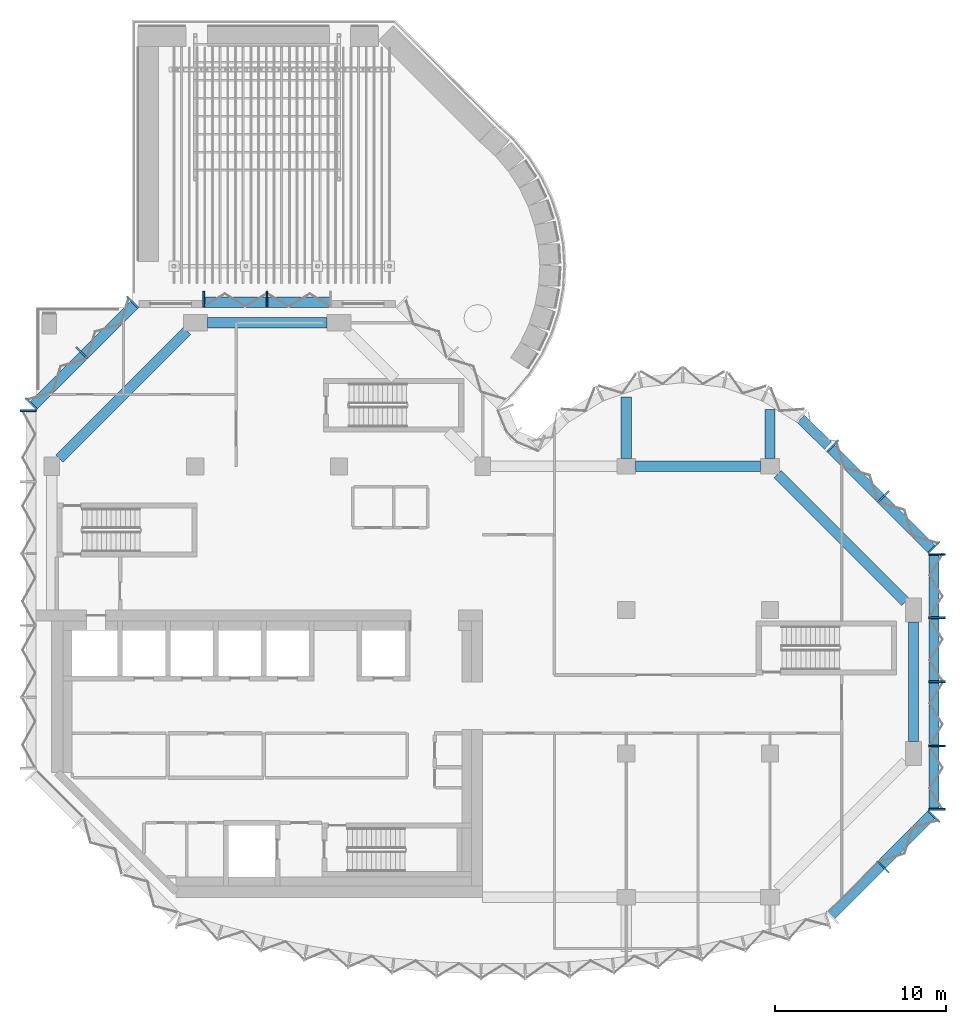
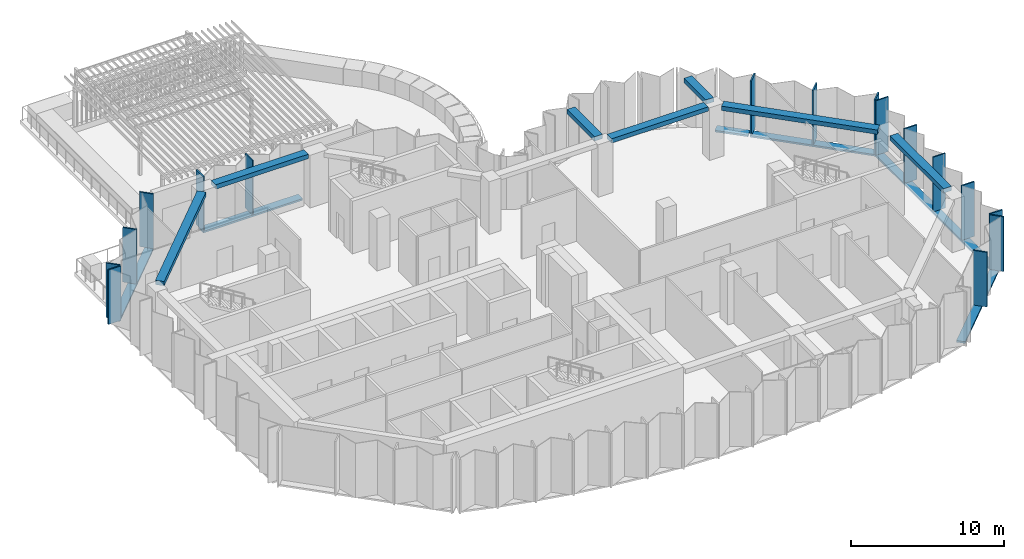
# One storey, part 2 of 15: 22 members, 7 beams, 7 elements without a shape of their own.
"""IFC4 building model written with IfcOpenShell, lengths in metres."""

from ifc_helpers import new_model, si_unit, direction, frame, origin, origin_2d, place, context, subcontext, project, spatial, rectangle, extrude, material, material_profile, profile_set, type_object, element, aggregate, save


model = new_model("IFC4")

# Units and contexts
model_context = context("Model", 3, precision=1e-05, world=origin(), true_north=direction((0.0, 1.0)))
body_context = subcontext(model_context, "Body", "Model", "MODEL_VIEW")
ifc_project = project(units=[si_unit("LENGTHUNIT", "METRE"), si_unit("AREAUNIT", "SQUARE_METRE"), si_unit("VOLUMEUNIT", "CUBIC_METRE"), si_unit("PLANEANGLEUNIT", "RADIAN"), si_unit("MASSUNIT", "GRAM", prefix="KILO")], contexts=[model_context])

# Site, building, storey
site_placement = place(None, origin())
site = spatial("IfcSite", under=ifc_project, at=site_placement, CompositionType="ELEMENT")
building_placement = place(site_placement, origin())
building = spatial("IfcBuilding", under=site, at=building_placement, Name="Brevane Broadcast Tower", CompositionType="ELEMENT")
storey_placement = place(building_placement, frame((0.0, 0.0, 206.39990234375)))
storey = spatial("IfcBuildingStorey", under=building, at=storey_placement, Name="L52", CompositionType="ELEMENT", Elevation=206.39990234375)

# Curtain wall, members
ifc_material_1 = material(Name="Aluminium 6063-T6 bronze anodised", Category="aluminium")
curtain_wall_type = type_object("IfcCurtainWallType", Name="CW-4 curtain wall", PredefinedType="NOTDEFINED", material=ifc_material_1)
curtain_wall_1_placement = place(storey_placement, origin())
curtain_wall_1 = element("IfcCurtainWall", 1, at=curtain_wall_1_placement, inside=storey, type_object=curtain_wall_type, Name="CW-4 sky lobby unit L52 south-east chamfer", PredefinedType="NOTDEFINED")
ifc_material_profile_1 = material_profile(ifc_material_1, rectangle(XDim=0.949951171875, YDim=0.10009765625, at=origin_2d()), Name="RECT 100x950")
ifc_profile_set_1 = profile_set([ifc_material_profile_1], Name="Aluminium 6063-T6 bronze anodised")
member_type_1 = type_object("IfcMemberType", Name="CW-4 mullion 100x950", PredefinedType="MULLION", material=ifc_profile_set_1)
member_1_placement = place(storey_placement, frame((48.635986328125, 1.76416015625, -0.159912109375), z_axis=(0.0, 0.0, 1.0), x_axis=(-0.707106781187, 0.707106781187, 0.0)))
member_1 = element("IfcMember", 2, at=member_1_placement, type_object=member_type_1, Name="CW-4 mullion", PredefinedType="MULLION", context=body_context, shape_type="SweptSolid", body=[
    extrude(rectangle(XDim=0.949951171875, YDim=0.10009765625, at=origin_2d()), origin(), (0.0, 0.0, 1.0), 4.360107421875),
])
member_2_placement = place(storey_placement, frame((51.6005859375, 4.728759765625, -0.159912109375), z_axis=(0.0, 0.0, 1.0), x_axis=(-0.707106781187, 0.707106781187, 0.0)))
member_2 = element("IfcMember", 3, at=member_2_placement, type_object=member_type_1, Name="CW-4 mullion", PredefinedType="MULLION", context=body_context, shape_type="SweptSolid", body=[
    extrude(rectangle(XDim=0.949951171875, YDim=0.10009765625, at=origin_2d()), origin(), (0.0, 0.0, 1.0), 4.360107421875),
])

curtain_wall_2_placement = place(storey_placement, origin())
curtain_wall_2 = element("IfcCurtainWall", 4, at=curtain_wall_2_placement, inside=storey, type_object=curtain_wall_type, Name="CW-4 sky lobby unit L52 east end", PredefinedType="NOTDEFINED")
member_3_placement = place(storey_placement, frame((51.77490234375, 5.14990234375, -0.159912109375), z_axis=(0.0, 0.0, 1.0), x_axis=(-1.0, 0.0, 0.0)))
member_3 = element("IfcMember", 5, at=member_3_placement, type_object=member_type_1, Name="CW-4 mullion", PredefinedType="MULLION", context=body_context, shape_type="SweptSolid", body=[
    extrude(rectangle(XDim=0.949951171875, YDim=0.10009765625, at=origin_2d()), origin(), (0.0, 0.0, 1.0), 4.360107421875),
])
member_4_placement = place(storey_placement, frame((51.77490234375, 8.85009765625, -0.159912109375), z_axis=(0.0, 0.0, 1.0), x_axis=(-1.0, 0.0, 0.0)))
member_4 = element("IfcMember", 6, at=member_4_placement, type_object=member_type_1, Name="CW-4 mullion", PredefinedType="MULLION", context=body_context, shape_type="SweptSolid", body=[
    extrude(rectangle(XDim=0.949951171875, YDim=0.10009765625, at=origin_2d()), origin(), (0.0, 0.0, 1.0), 4.360107421875),
])
member_5_placement = place(storey_placement, frame((51.77490234375, 12.60009765625, -0.159912109375), z_axis=(0.0, 0.0, 1.0), x_axis=(-1.0, 0.0, 0.0)))
member_5 = element("IfcMember", 7, at=member_5_placement, type_object=member_type_1, Name="CW-4 mullion", PredefinedType="MULLION", context=body_context, shape_type="SweptSolid", body=[
    extrude(rectangle(XDim=0.949951171875, YDim=0.10009765625, at=origin_2d()), origin(), (0.0, 0.0, 1.0), 4.360107421875),
])
member_6_placement = place(storey_placement, frame((51.77490234375, 16.35009765625, -0.159912109375), z_axis=(0.0, 0.0, 1.0), x_axis=(-1.0, 0.0, 0.0)))
member_6 = element("IfcMember", 8, at=member_6_placement, type_object=member_type_1, Name="CW-4 mullion", PredefinedType="MULLION", context=body_context, shape_type="SweptSolid", body=[
    extrude(rectangle(XDim=0.949951171875, YDim=0.10009765625, at=origin_2d()), origin(), (0.0, 0.0, 1.0), 4.360107421875),
])
member_7_placement = place(storey_placement, frame((51.77490234375, 20.050048828125, -0.159912109375), z_axis=(0.0, 0.0, 1.0), x_axis=(-1.0, 0.0, 0.0)))
member_7 = element("IfcMember", 9, at=member_7_placement, type_object=member_type_1, Name="CW-4 mullion", PredefinedType="MULLION", context=body_context, shape_type="SweptSolid", body=[
    extrude(rectangle(XDim=0.949951171875, YDim=0.10009765625, at=origin_2d()), origin(), (0.0, 0.0, 1.0), 4.360107421875),
])

curtain_wall_3_placement = place(storey_placement, origin())
curtain_wall_3 = element("IfcCurtainWall", 10, at=curtain_wall_3_placement, inside=storey, type_object=curtain_wall_type, Name="CW-4 sky lobby unit L52 north-east chamfer", PredefinedType="NOTDEFINED")
member_8_placement = place(storey_placement, frame((51.6005859375, 20.47119140625, -0.159912109375), z_axis=(0.0, 0.0, 1.0), x_axis=(-0.707106781187, -0.707106781187, 0.0)))
member_8 = element("IfcMember", 11, at=member_8_placement, type_object=member_type_1, Name="CW-4 mullion", PredefinedType="MULLION", context=body_context, shape_type="SweptSolid", body=[
    extrude(rectangle(XDim=0.949951171875, YDim=0.10009765625, at=origin_2d()), origin(), (0.0, 0.0, 1.0), 4.360107421875),
])
member_9_placement = place(storey_placement, frame((48.635986328125, 23.435791015625, -0.159912109375), z_axis=(0.0, 0.0, 1.0), x_axis=(-0.707106781187, -0.707106781187, 0.0)))
member_9 = element("IfcMember", 12, at=member_9_placement, type_object=member_type_1, Name="CW-4 mullion", PredefinedType="MULLION", context=body_context, shape_type="SweptSolid", body=[
    extrude(rectangle(XDim=0.949951171875, YDim=0.10009765625, at=origin_2d()), origin(), (0.0, 0.0, 1.0), 4.360107421875),
])
member_10_placement = place(storey_placement, frame((45.671142578125, 26.400634765625, -0.159912109375), z_axis=(0.0, 0.0, 1.0), x_axis=(-0.707106781187, -0.707106781187, 0.0)))
member_10 = element("IfcMember", 13, at=member_10_placement, type_object=member_type_1, Name="CW-4 mullion", PredefinedType="MULLION", context=body_context, shape_type="SweptSolid", body=[
    extrude(rectangle(XDim=0.949951171875, YDim=0.10009765625, at=origin_2d()), origin(), (0.0, 0.0, 1.0), 4.360107421875),
])

curtain_wall_4_placement = place(storey_placement, origin())
curtain_wall_4 = element("IfcCurtainWall", 14, at=curtain_wall_4_placement, inside=storey, type_object=curtain_wall_type, Name="CW-4 sky lobby unit L52 north end", PredefinedType="NOTDEFINED")
member_11_placement = place(storey_placement, frame((12.60009765625, 34.97509765625, -0.159912109375), z_axis=(0.0, 0.0, 1.0), x_axis=(0.0, -1.0, 0.0)))
member_11 = element("IfcMember", 15, at=member_11_placement, type_object=member_type_1, Name="CW-4 mullion", PredefinedType="MULLION", context=body_context, shape_type="SweptSolid", body=[
    extrude(rectangle(XDim=0.949951171875, YDim=0.10009765625, at=origin_2d()), origin(), (0.0, 0.0, 1.0), 4.360107421875),
])
member_12_placement = place(storey_placement, frame((8.89990234375, 34.97509765625, -0.159912109375), z_axis=(0.0, 0.0, 1.0), x_axis=(0.0, -1.0, 0.0)))
member_12 = element("IfcMember", 16, at=member_12_placement, type_object=member_type_1, Name="CW-4 mullion", PredefinedType="MULLION", context=body_context, shape_type="SweptSolid", body=[
    extrude(rectangle(XDim=0.949951171875, YDim=0.10009765625, at=origin_2d()), origin(), (0.0, 0.0, 1.0), 4.360107421875),
])

curtain_wall_5_placement = place(storey_placement, origin())
curtain_wall_5 = element("IfcCurtainWall", 17, at=curtain_wall_5_placement, inside=storey, type_object=curtain_wall_type, Name="CW-4 sky lobby unit L52 north-west chamfer", PredefinedType="NOTDEFINED")
member_13_placement = place(storey_placement, frame((4.728759765625, 34.800537109375, -0.159912109375), z_axis=(0.0, 0.0, 1.0), x_axis=(0.707106781187, -0.707106781187, 0.0)))
member_13 = element("IfcMember", 18, at=member_13_placement, type_object=member_type_1, Name="CW-4 mullion", PredefinedType="MULLION", context=body_context, shape_type="SweptSolid", body=[
    extrude(rectangle(XDim=0.949951171875, YDim=0.10009765625, at=origin_2d()), origin(), (0.0, 0.0, 1.0), 4.360107421875),
])
member_14_placement = place(storey_placement, frame((1.76416015625, 31.8359375, -0.159912109375), z_axis=(0.0, 0.0, 1.0), x_axis=(0.707106781187, -0.707106781187, 0.0)))
member_14 = element("IfcMember", 19, at=member_14_placement, type_object=member_type_1, Name="CW-4 mullion", PredefinedType="MULLION", context=body_context, shape_type="SweptSolid", body=[
    extrude(rectangle(XDim=0.949951171875, YDim=0.10009765625, at=origin_2d()), origin(), (0.0, 0.0, 1.0), 4.360107421875),
])
member_15_placement = place(storey_placement, frame((-1.200439453125, 28.871337890625, -0.159912109375), z_axis=(0.0, 0.0, 1.0), x_axis=(0.707106781187, -0.707106781187, 0.0)))
member_15 = element("IfcMember", 20, at=member_15_placement, type_object=member_type_1, Name="CW-4 mullion", PredefinedType="MULLION", context=body_context, shape_type="SweptSolid", body=[
    extrude(rectangle(XDim=0.949951171875, YDim=0.10009765625, at=origin_2d()), origin(), (0.0, 0.0, 1.0), 4.360107421875),
])

# Curtain wall, member
curtain_wall_6_placement = place(storey_placement, origin())
curtain_wall_6 = element("IfcCurtainWall", 21, at=curtain_wall_6_placement, inside=storey, type_object=curtain_wall_type, Name="CW-4 sky lobby unit L52 west face", PredefinedType="NOTDEFINED")
member_16_placement = place(storey_placement, frame((-1.375, 28.449951171875, -0.159912109375), z_axis=(0.0, 0.0, 1.0), x_axis=(1.0, 0.0, 0.0)))
member_16 = element("IfcMember", 22, at=member_16_placement, type_object=member_type_1, Name="CW-4 mullion", PredefinedType="MULLION", context=body_context, shape_type="SweptSolid", body=[
    extrude(rectangle(XDim=0.949951171875, YDim=0.10009765625, at=origin_2d()), origin(), (0.0, 0.0, 1.0), 4.360107421875),
])
aggregate(curtain_wall_6, [member_16])

# Member
ifc_material_profile_2 = material_profile(ifc_material_1, rectangle(XDim=0.60009765625, YDim=0.139892578125, at=origin_2d()), Name="RECT 140x600")
ifc_profile_set_2 = profile_set([ifc_material_profile_2], Name="Aluminium 6063-T6 bronze anodised")
member_type_2 = type_object("IfcMemberType", Name="CW-4 transom 140x600", PredefinedType="USERDEFINED", material=ifc_profile_set_2)
member_17_placement = place(storey_placement, frame((45.51220703125, -1.112060546875, -0.22998046875), z_axis=(0.707106781187, 0.707106781187, 0.0), x_axis=(-0.707106781187, 0.707106781187, 0.0)))
member_17 = element("IfcMember", 23, at=member_17_placement, type_object=member_type_2, Name="CW-4 transom", ObjectType="TRANSOM", PredefinedType="USERDEFINED", context=body_context, shape_type="SweptSolid", body=[
    extrude(rectangle(XDim=0.60009765625, YDim=0.139892578125, at=origin_2d()), origin(), (0.0, 0.0, 1.0), 8.4853515625),
])

aggregate(curtain_wall_1, [member_1, member_2, member_17])

member_18_placement = place(storey_placement, frame((51.60009765625, 5.10009765625, -0.22998046875), z_axis=(0.0, 1.0, 0.0), x_axis=(-1.0, 0.0, 0.0)))
member_18 = element("IfcMember", 24, at=member_18_placement, type_object=member_type_2, Name="CW-4 transom", ObjectType="TRANSOM", PredefinedType="USERDEFINED", context=body_context, shape_type="SweptSolid", body=[
    extrude(rectangle(XDim=0.60009765625, YDim=0.139892578125, at=origin_2d()), origin(), (0.0, 0.0, 1.0), 15.0),
])

aggregate(curtain_wall_2, [member_3, member_4, member_5, member_6, member_7, member_18])

member_19_placement = place(storey_placement, frame((51.51220703125, 20.31201171875, -0.22998046875), z_axis=(-0.707106781187, 0.707106781187, 0.0), x_axis=(-0.707106781187, -0.707106781187, 0.0)))
member_19 = element("IfcMember", 25, at=member_19_placement, type_object=member_type_2, Name="CW-4 transom", ObjectType="TRANSOM", PredefinedType="USERDEFINED", context=body_context, shape_type="SweptSolid", body=[
    extrude(rectangle(XDim=0.60009765625, YDim=0.139892578125, at=origin_2d()), origin(), (0.0, 0.0, 1.0), 8.4853515625),
])

aggregate(curtain_wall_3, [member_8, member_9, member_10, member_19])

# Curtain wall, member
curtain_wall_7_placement = place(storey_placement, origin())
curtain_wall_7 = element("IfcCurtainWall", 26, at=curtain_wall_7_placement, inside=storey, type_object=curtain_wall_type, Name="CW-4 sky lobby unit L52 east bow", PredefinedType="NOTDEFINED")
member_20_placement = place(storey_placement, frame((45.412841796875, 26.407958984375, -0.22998046875), z_axis=(-0.71724215871, 0.696823999134, 0.0), x_axis=(-0.696823999134, -0.71724215871, 0.0)))
member_20 = element("IfcMember", 27, at=member_20_placement, type_object=member_type_2, Name="CW-4 transom", ObjectType="TRANSOM", PredefinedType="USERDEFINED", context=body_context, shape_type="SweptSolid", body=[
    extrude(rectangle(XDim=0.60009765625, YDim=0.139892578125, at=origin_2d()), origin(), (0.0, 0.0, 1.0), 2.247802734375),
])
aggregate(curtain_wall_7, [member_20])

# Member
member_21_placement = place(storey_placement, frame((16.35009765625, 34.800048828125, -0.22998046875), z_axis=(-1.0, 0.0, 0.0), x_axis=(0.0, -1.0, 0.0)))
member_21 = element("IfcMember", 28, at=member_21_placement, type_object=member_type_2, Name="CW-4 transom", ObjectType="TRANSOM", PredefinedType="USERDEFINED", context=body_context, shape_type="SweptSolid", body=[
    extrude(rectangle(XDim=0.60009765625, YDim=0.139892578125, at=origin_2d()), origin(), (0.0, 0.0, 1.0), 7.5),
])

aggregate(curtain_wall_4, [member_11, member_12, member_21])

member_22_placement = place(storey_placement, frame((4.887939453125, 34.712158203125, -0.22998046875), z_axis=(-0.707106781187, -0.707106781187, 0.0), x_axis=(0.707106781187, -0.707106781187, 0.0)))
member_22 = element("IfcMember", 29, at=member_22_placement, type_object=member_type_2, Name="CW-4 transom", ObjectType="TRANSOM", PredefinedType="USERDEFINED", context=body_context, shape_type="SweptSolid", body=[
    extrude(rectangle(XDim=0.60009765625, YDim=0.139892578125, at=origin_2d()), origin(), (0.0, 0.0, 1.0), 8.4853515625),
])

aggregate(curtain_wall_5, [member_13, member_14, member_15, member_22])

# Beams
ifc_material_2 = material(Name="Concrete C40/50", Category="concrete")
ifc_material_profile_3 = material_profile(ifc_material_2, rectangle(XDim=0.60009765625, YDim=0.35009765625, at=origin_2d()), Name="RC 600x350")
ifc_profile_set_3 = profile_set([ifc_material_profile_3], Name="Concrete C40/50")
beam_type_1 = type_object("IfcBeamType", Name="RC BRACKET BEAM 600x350 C40/50", PredefinedType="BEAM", material=ifc_profile_set_3)
beam_1_placement = place(storey_placement, frame((33.60009765625, 25.64990234375, 4.025146484375), z_axis=(0.0, 1.0, 0.0), x_axis=(-1.0, 0.0, 0.0)))
element("IfcBeam", 30, at=beam_1_placement, inside=storey, type_object=beam_type_1, Name="EB2 L52-2", PredefinedType="BEAM", context=body_context, shape_type="SweptSolid", body=[
    extrude(rectangle(XDim=0.60009765625, YDim=0.35009765625, at=origin_2d()), origin(), (0.0, 0.0, 1.0), 3.612060546875),
])
beam_2_placement = place(storey_placement, frame((42.0, 25.64990234375, 4.025146484375), z_axis=(0.0, 1.0, 0.0), x_axis=(-1.0, 0.0, 0.0)))
element("IfcBeam", 31, at=beam_2_placement, inside=storey, type_object=beam_type_1, Name="EB2 L52-4", PredefinedType="BEAM", context=body_context, shape_type="SweptSolid", body=[
    extrude(rectangle(XDim=0.60009765625, YDim=0.35009765625, at=origin_2d()), origin(), (0.0, 0.0, 1.0), 2.861572265625),
])
ifc_material_profile_4 = material_profile(ifc_material_2, rectangle(XDim=0.60009765625, YDim=0.35009765625, at=origin_2d()), Name="RC 600x350")
ifc_profile_set_4 = profile_set([ifc_material_profile_4], Name="Concrete C40/50")
beam_type_2 = type_object("IfcBeamType", Name="RC SPANDREL BEAM 600x350 C40/50", PredefinedType="SPANDREL", material=ifc_profile_set_4)
beam_3_placement = place(storey_placement, frame((50.39990234375, 9.10009765625, 4.025146484375), z_axis=(0.0, 1.0, 0.0), x_axis=(-1.0, 0.0, 0.0)))
element("IfcBeam", 32, at=beam_3_placement, inside=storey, type_object=beam_type_2, Name="EB1 L52-4", PredefinedType="SPANDREL", context=body_context, shape_type="SweptSolid", body=[
    extrude(rectangle(XDim=0.60009765625, YDim=0.35009765625, at=origin_2d()), origin(), (0.0, 0.0, 1.0), 7.0),
])
beam_4_placement = place(storey_placement, frame((49.925048828125, 17.27490234375, 4.025146484375), z_axis=(-0.707106781187, 0.707106781187, 0.0), x_axis=(-0.707106781187, -0.707106781187, 0.0)))
element("IfcBeam", 33, at=beam_4_placement, inside=storey, type_object=beam_type_2, Name="EB1 L52-5", PredefinedType="SPANDREL", context=body_context, shape_type="SweptSolid", body=[
    extrude(rectangle(XDim=0.60009765625, YDim=0.35009765625, at=origin_2d()), origin(), (0.0, 0.0, 1.0), 10.5712890625),
])
beam_5_placement = place(storey_placement, frame((41.449951171875, 25.199951171875, 4.025146484375), z_axis=(-1.0, 0.0, 0.0), x_axis=(0.0, -1.0, 0.0)))
element("IfcBeam", 34, at=beam_5_placement, inside=storey, type_object=beam_type_2, Name="EB1 L52-6", PredefinedType="SPANDREL", context=body_context, shape_type="SweptSolid", body=[
    extrude(rectangle(XDim=0.60009765625, YDim=0.35009765625, at=origin_2d()), origin(), (0.0, 0.0, 1.0), 7.300048828125),
])
beam_6_placement = place(storey_placement, frame((16.10009765625, 33.60009765625, 4.025146484375), z_axis=(-1.0, 0.0, 0.0), x_axis=(0.0, -1.0, 0.0)))
element("IfcBeam", 35, at=beam_6_placement, inside=storey, type_object=beam_type_2, Name="EB1 L52-9", PredefinedType="SPANDREL", context=body_context, shape_type="SweptSolid", body=[
    extrude(rectangle(XDim=0.60009765625, YDim=0.35009765625, at=origin_2d()), origin(), (0.0, 0.0, 1.0), 7.0),
])
beam_7_placement = place(storey_placement, frame((7.925048828125, 33.125, 4.025146484375), z_axis=(-0.707106781187, -0.707106781187, 0.0), x_axis=(0.707106781187, -0.707106781187, 0.0)))
element("IfcBeam", 36, at=beam_7_placement, inside=storey, type_object=beam_type_2, Name="EB1 L52-10", PredefinedType="SPANDREL", context=body_context, shape_type="SweptSolid", body=[
    extrude(rectangle(XDim=0.60009765625, YDim=0.35009765625, at=origin_2d()), origin(), (0.0, 0.0, 1.0), 10.5712890625),
])

save(model, "model.ifc")
